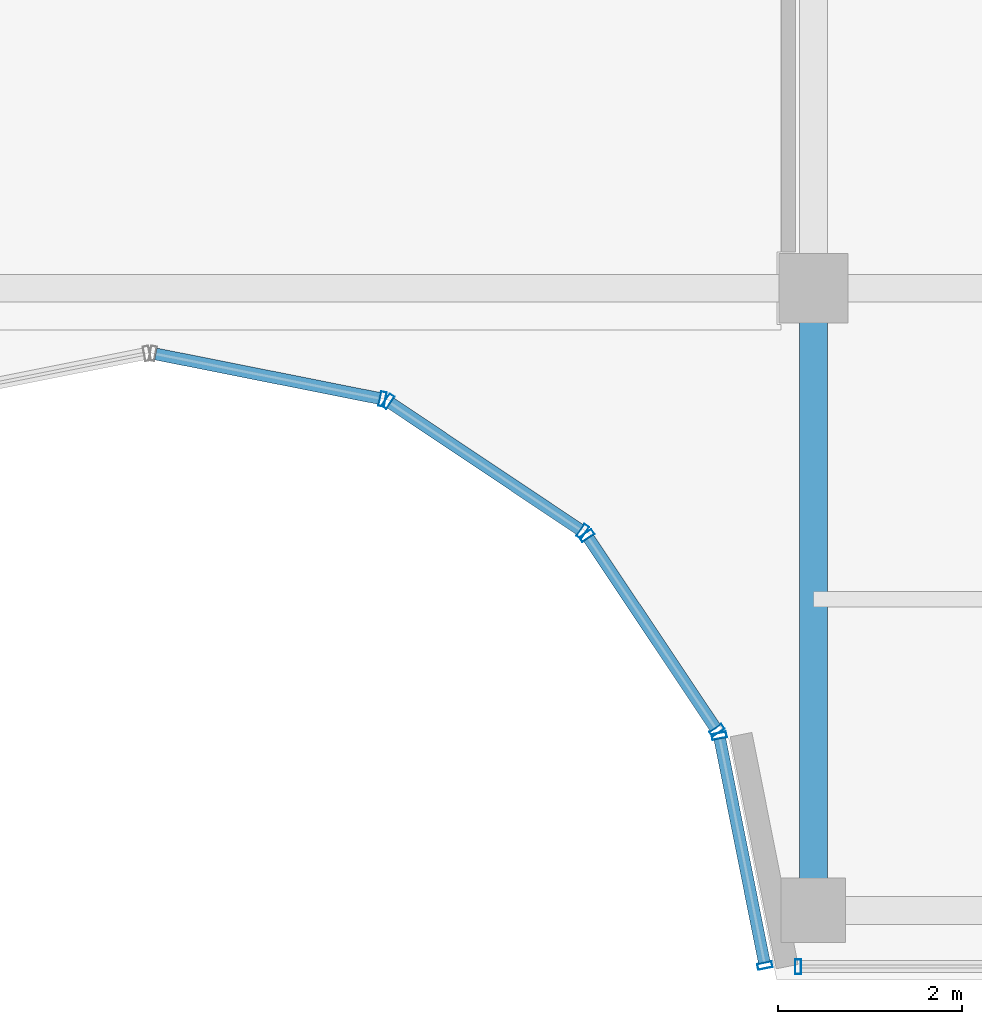
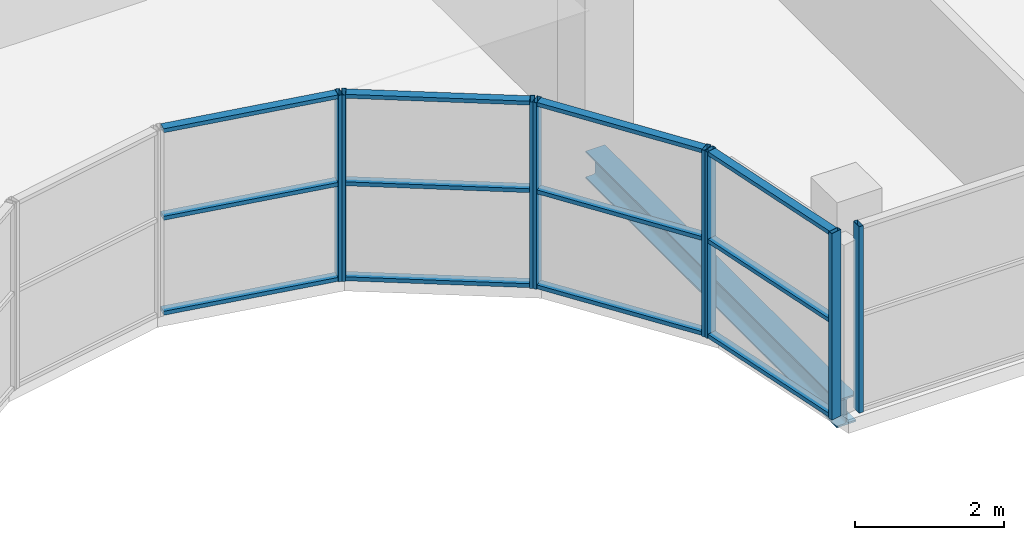
# One storey, part 7 of 28: 20 members, 1 beam, 5 elements without a shape of their own.
"""IFC4 building model written with IfcOpenShell, lengths in metres."""

from ifc_helpers import new_model, si_unit, direction, frame, origin, origin_2d, place, context, subcontext, project, spatial, hollow_rectangle, i_section, extrude, source, transform, mapped, material, layer, layer_set, material_profile, profile_set, type_object, element, aggregate, save


model = new_model("IFC4")

# Units and contexts
model_context = context("Model", 3, precision=1e-05, world=origin(), true_north=direction((0.0, 1.0)))
body_context = subcontext(model_context, "Body", "Model", "MODEL_VIEW")
ifc_project = project(units=[si_unit("LENGTHUNIT", "METRE"), si_unit("AREAUNIT", "SQUARE_METRE"), si_unit("VOLUMEUNIT", "CUBIC_METRE"), si_unit("PLANEANGLEUNIT", "RADIAN"), si_unit("MASSUNIT", "GRAM", prefix="KILO")], contexts=[model_context])

# Site, building, storey
site_placement = place(None, origin())
site = spatial("IfcSite", under=ifc_project, at=site_placement, CompositionType="ELEMENT")
building_placement = place(site_placement, origin())
building = spatial("IfcBuilding", under=site, at=building_placement, Name="Zarnakvel Exchange Tower", CompositionType="ELEMENT")
storey_placement = place(building_placement, frame((0.0, 0.0, 268.300048828125)))
storey = spatial("IfcBuildingStorey", under=building, at=storey_placement, Name="L76", CompositionType="ELEMENT", Elevation=268.300048828125)

# Beam
ifc_material_1 = material(Name="Steel S355", Category="steel")
ifc_material_profile_1 = material_profile(ifc_material_1, i_section(OverallWidth=0.300048828125, OverallDepth=0.449951171875, WebThickness=0.013916015625, FlangeThickness=0.02587890625, FilletRadius=0.027099609375, at=origin_2d()))
ifc_profile_set_1 = profile_set([ifc_material_profile_1], Name="Steel S355")
beam_type = type_object("IfcBeamType", Name="G-07", PredefinedType="BEAM", material=ifc_profile_set_1)
beam_placement = place(storey_placement, frame((7.199951171875, -16.35009765625, -0.449951171875), z_axis=(0.0, 1.0, 0.0), x_axis=(-1.0, 0.0, 0.0)))
element("IfcBeam", 1, at=beam_placement, inside=storey, type_object=beam_type, Name="L76 Tower N-S Frame Beam", PredefinedType="BEAM", context=body_context, shape_type="SweptSolid", body=[
    extrude(i_section(OverallWidth=0.300048828125, OverallDepth=0.449951171875, WebThickness=0.013916015625, FlangeThickness=0.02587890625, FilletRadius=0.027099609375, at=origin_2d()), origin(), (0.0, 0.0, 1.0), 6.75),
])

# Curtain wall, members
ifc_material_2 = material(Name="Architectural Bronze Anodised Aluminium", Category="aluminium")
ifc_layer = layer(ifc_material_2, 0.159912109375)
ifc_layer_set = layer_set([ifc_layer], Name="Architectural Bronze Anodised Aluminium")
curtain_wall_type = type_object("IfcCurtainWallType", Name="CW-06", PredefinedType="NOTDEFINED", material=ifc_layer_set)
curtain_wall_1_placement = place(storey_placement, origin())
curtain_wall_1 = element("IfcCurtainWall", 2, at=curtain_wall_1_placement, inside=storey, type_object=curtain_wall_type, Name="L76 Curtain Wall CW-L76-NC5 (CW-06)", PredefinedType="NOTDEFINED")
ifc_material_profile_2 = material_profile(ifc_material_2, hollow_rectangle(XDim=0.1298828125, YDim=0.06494140625, WallThickness=0.00390625, at=origin_2d()))
ifc_profile_set_2 = profile_set([ifc_material_profile_2], Name="Architectural Bronze Anodised Aluminium")
member_type_1 = type_object("IfcMemberType", Name="CWT-06", PredefinedType="USERDEFINED", material=ifc_profile_set_2)
shared_shape_1 = source(origin(), body_context, "Body", "SweptSolid", [
    extrude(hollow_rectangle(XDim=0.1298828125, YDim=0.06494140625, WallThickness=0.00390625, at=origin_2d()), origin(), (0.0, 0.0, 1.0), 2.4765625),
])
member_1_placement = place(storey_placement, frame((0.063720703125, -10.312744140625, 0.032470703125), z_axis=(0.980784886983, -0.195092299863, 0.0), x_axis=(0.195092299863, 0.980784886983, 0.0)))
member_1 = element("IfcMember", 3, at=member_1_placement, type_object=member_type_1, Name="CW-06 transom 1.1", ObjectType="TRANSOM", PredefinedType="USERDEFINED", context=body_context, shape_type="MappedRepresentation", body=[
    mapped(shared_shape_1, transform((0.0, 0.0, 0.0), x_axis=(1.0, 0.0, 0.0), y_axis=(0.0, 1.0, 0.0), z_axis=(0.0, 0.0, 1.0), scale=1.0)),
])
member_2_placement = place(storey_placement, frame((0.063720703125, -10.312744140625, 1.591064453125), z_axis=(0.980784886983, -0.195092299863, 0.0), x_axis=(0.195092299863, 0.980784886983, 0.0)))
member_2 = element("IfcMember", 4, at=member_2_placement, type_object=member_type_1, Name="CW-06 transom 1.2", ObjectType="TRANSOM", PredefinedType="USERDEFINED", context=body_context, shape_type="MappedRepresentation", body=[
    mapped(shared_shape_1, transform((0.0, 0.0, 0.0), x_axis=(1.0, 0.0, 0.0), y_axis=(0.0, 1.0, 0.0), z_axis=(0.0, 0.0, 1.0), scale=1.0)),
])
member_3_placement = place(storey_placement, frame((0.063720703125, -10.312744140625, 3.02734375), z_axis=(0.980784886983, -0.195092299863, 0.0), x_axis=(0.195092299863, 0.980784886983, 0.0)))
member_3 = element("IfcMember", 5, at=member_3_placement, type_object=member_type_1, Name="CW-06 transom 1.3", ObjectType="TRANSOM", PredefinedType="USERDEFINED", context=body_context, shape_type="MappedRepresentation", body=[
    mapped(shared_shape_1, transform((0.0, 0.0, 0.0), x_axis=(1.0, 0.0, 0.0), y_axis=(0.0, 1.0, 0.0), z_axis=(0.0, 0.0, 1.0), scale=1.0)),
])

curtain_wall_2_placement = place(storey_placement, origin())
curtain_wall_2 = element("IfcCurtainWall", 6, at=curtain_wall_2_placement, inside=storey, type_object=curtain_wall_type, Name="L76 Curtain Wall CW-L76-NC6 (CW-06)", PredefinedType="NOTDEFINED")
member_4_placement = place(storey_placement, frame((2.6103515625, -10.844482421875, 0.032470703125), z_axis=(0.831443136401, -0.555609854963, 0.0), x_axis=(0.555609854963, 0.831443136401, 0.0)))
member_4 = element("IfcMember", 7, at=member_4_placement, type_object=member_type_1, Name="CW-06 transom 1.1", ObjectType="TRANSOM", PredefinedType="USERDEFINED", context=body_context, shape_type="MappedRepresentation", body=[
    mapped(shared_shape_1, transform((0.0, 0.0, 0.0), x_axis=(1.0, 0.0, 0.0), y_axis=(0.0, 1.0, 0.0), z_axis=(0.0, 0.0, 1.0), scale=1.0)),
])
member_5_placement = place(storey_placement, frame((2.6103515625, -10.844482421875, 1.591064453125), z_axis=(0.831443136401, -0.555609854963, 0.0), x_axis=(0.555609854963, 0.831443136401, 0.0)))
member_5 = element("IfcMember", 8, at=member_5_placement, type_object=member_type_1, Name="CW-06 transom 1.2", ObjectType="TRANSOM", PredefinedType="USERDEFINED", context=body_context, shape_type="MappedRepresentation", body=[
    mapped(shared_shape_1, transform((0.0, 0.0, 0.0), x_axis=(1.0, 0.0, 0.0), y_axis=(0.0, 1.0, 0.0), z_axis=(0.0, 0.0, 1.0), scale=1.0)),
])
member_6_placement = place(storey_placement, frame((2.6103515625, -10.844482421875, 3.02734375), z_axis=(0.831443136401, -0.555609854963, 0.0), x_axis=(0.555609854963, 0.831443136401, 0.0)))
member_6 = element("IfcMember", 9, at=member_6_placement, type_object=member_type_1, Name="CW-06 transom 1.3", ObjectType="TRANSOM", PredefinedType="USERDEFINED", context=body_context, shape_type="MappedRepresentation", body=[
    mapped(shared_shape_1, transform((0.0, 0.0, 0.0), x_axis=(1.0, 0.0, 0.0), y_axis=(0.0, 1.0, 0.0), z_axis=(0.0, 0.0, 1.0), scale=1.0)),
])

curtain_wall_3_placement = place(storey_placement, origin())
curtain_wall_3 = element("IfcCurtainWall", 10, at=curtain_wall_3_placement, inside=storey, type_object=curtain_wall_type, Name="L76 Curtain Wall CW-L76-NC7 (CW-06)", PredefinedType="NOTDEFINED")
member_7_placement = place(storey_placement, frame((4.759521484375, -12.310546875, 0.032470703125), z_axis=(0.555609854963, -0.831443136401, 0.0), x_axis=(0.831443136401, 0.555609854963, 0.0)))
member_7 = element("IfcMember", 11, at=member_7_placement, type_object=member_type_1, Name="CW-06 transom 1.1", ObjectType="TRANSOM", PredefinedType="USERDEFINED", context=body_context, shape_type="MappedRepresentation", body=[
    mapped(shared_shape_1, transform((0.0, 0.0, 0.0), x_axis=(1.0, 0.0, 0.0), y_axis=(0.0, 1.0, 0.0), z_axis=(0.0, 0.0, 1.0), scale=1.0)),
])
member_8_placement = place(storey_placement, frame((4.759521484375, -12.310546875, 1.591064453125), z_axis=(0.555609854963, -0.831443136401, 0.0), x_axis=(0.831443136401, 0.555609854963, 0.0)))
member_8 = element("IfcMember", 12, at=member_8_placement, type_object=member_type_1, Name="CW-06 transom 1.2", ObjectType="TRANSOM", PredefinedType="USERDEFINED", context=body_context, shape_type="MappedRepresentation", body=[
    mapped(shared_shape_1, transform((0.0, 0.0, 0.0), x_axis=(1.0, 0.0, 0.0), y_axis=(0.0, 1.0, 0.0), z_axis=(0.0, 0.0, 1.0), scale=1.0)),
])
member_9_placement = place(storey_placement, frame((4.759521484375, -12.310546875, 3.02734375), z_axis=(0.555609854963, -0.831443136401, 0.0), x_axis=(0.831443136401, 0.555609854963, 0.0)))
member_9 = element("IfcMember", 13, at=member_9_placement, type_object=member_type_1, Name="CW-06 transom 1.3", ObjectType="TRANSOM", PredefinedType="USERDEFINED", context=body_context, shape_type="MappedRepresentation", body=[
    mapped(shared_shape_1, transform((0.0, 0.0, 0.0), x_axis=(1.0, 0.0, 0.0), y_axis=(0.0, 1.0, 0.0), z_axis=(0.0, 0.0, 1.0), scale=1.0)),
])

curtain_wall_4_placement = place(storey_placement, origin())
curtain_wall_4 = element("IfcCurtainWall", 14, at=curtain_wall_4_placement, inside=storey, type_object=curtain_wall_type, Name="L76 Curtain Wall CW-L76-NC8 (CW-06)", PredefinedType="NOTDEFINED")
member_10_placement = place(storey_placement, frame((6.18408203125, -14.4873046875, 0.032470703125), z_axis=(0.195092299863, -0.980784886983, 0.0), x_axis=(0.980784886983, 0.195092299863, 0.0)))
member_10 = element("IfcMember", 15, at=member_10_placement, type_object=member_type_1, Name="CW-06 transom 1.1", ObjectType="TRANSOM", PredefinedType="USERDEFINED", context=body_context, shape_type="MappedRepresentation", body=[
    mapped(shared_shape_1, transform((0.0, 0.0, 0.0), x_axis=(1.0, 0.0, 0.0), y_axis=(0.0, 1.0, 0.0), z_axis=(0.0, 0.0, 1.0), scale=1.0)),
])
member_11_placement = place(storey_placement, frame((6.18408203125, -14.4873046875, 1.591064453125), z_axis=(0.195092299863, -0.980784886983, 0.0), x_axis=(0.980784886983, 0.195092299863, 0.0)))
member_11 = element("IfcMember", 16, at=member_11_placement, type_object=member_type_1, Name="CW-06 transom 1.2", ObjectType="TRANSOM", PredefinedType="USERDEFINED", context=body_context, shape_type="MappedRepresentation", body=[
    mapped(shared_shape_1, transform((0.0, 0.0, 0.0), x_axis=(1.0, 0.0, 0.0), y_axis=(0.0, 1.0, 0.0), z_axis=(0.0, 0.0, 1.0), scale=1.0)),
])
member_12_placement = place(storey_placement, frame((6.18408203125, -14.4873046875, 3.02734375), z_axis=(0.195092299863, -0.980784886983, 0.0), x_axis=(0.980784886983, 0.195092299863, 0.0)))
member_12 = element("IfcMember", 17, at=member_12_placement, type_object=member_type_1, Name="CW-06 transom 1.3", ObjectType="TRANSOM", PredefinedType="USERDEFINED", context=body_context, shape_type="MappedRepresentation", body=[
    mapped(shared_shape_1, transform((0.0, 0.0, 0.0), x_axis=(1.0, 0.0, 0.0), y_axis=(0.0, 1.0, 0.0), z_axis=(0.0, 0.0, 1.0), scale=1.0)),
])

# Member
ifc_material_profile_3 = material_profile(ifc_material_2, hollow_rectangle(XDim=0.159912109375, YDim=0.06494140625, WallThickness=0.00390625, at=origin_2d()))
ifc_profile_set_3 = profile_set([ifc_material_profile_3], Name="Architectural Bronze Anodised Aluminium")
member_type_2 = type_object("IfcMemberType", Name="CWM-06", PredefinedType="MULLION", material=ifc_profile_set_3)
shared_shape_2 = source(origin(), body_context, "Body", "SweptSolid", [
    extrude(hollow_rectangle(XDim=0.159912109375, YDim=0.06494140625, WallThickness=0.00390625, at=origin_2d()), origin(), (0.0, 0.0, 1.0), 3.06005859375),
])
member_13_placement = place(storey_placement, frame((2.5244140625, -10.80224609375, 0.0), z_axis=(0.0, 0.0, 1.0), x_axis=(0.195090448398, 0.980785255264, 0.0)))
member_13 = element("IfcMember", 18, at=member_13_placement, type_object=member_type_2, Name="CW-06 mullion 2", PredefinedType="MULLION", context=body_context, shape_type="MappedRepresentation", body=[
    mapped(shared_shape_2, transform((0.0, 0.0, 0.0), x_axis=(1.0, 0.0, 0.0), y_axis=(0.0, 1.0, 0.0), z_axis=(0.0, 0.0, 1.0), scale=1.0)),
])

aggregate(curtain_wall_1, [member_13, member_1, member_2, member_3])

member_14_placement = place(storey_placement, frame((2.583251953125, -10.82666015625, 0.0), z_axis=(0.0, 0.0, 1.0), x_axis=(0.555570233339, 0.831469612089, 0.0)))
member_14 = element("IfcMember", 19, at=member_14_placement, type_object=member_type_2, Name="CW-06 mullion 1", PredefinedType="MULLION", context=body_context, shape_type="MappedRepresentation", body=[
    mapped(shared_shape_2, transform((0.0, 0.0, 0.0), x_axis=(1.0, 0.0, 0.0), y_axis=(0.0, 1.0, 0.0), z_axis=(0.0, 0.0, 1.0), scale=1.0)),
])

member_15_placement = place(storey_placement, frame((4.696533203125, -12.238525390625, 0.0), z_axis=(0.0, 0.0, 1.0), x_axis=(0.555570233339, 0.831469612089, 0.0)))
member_15 = element("IfcMember", 20, at=member_15_placement, type_object=member_type_2, Name="CW-06 mullion 2", PredefinedType="MULLION", context=body_context, shape_type="MappedRepresentation", body=[
    mapped(shared_shape_2, transform((0.0, 0.0, 0.0), x_axis=(1.0, 0.0, 0.0), y_axis=(0.0, 1.0, 0.0), z_axis=(0.0, 0.0, 1.0), scale=1.0)),
])

aggregate(curtain_wall_2, [member_14, member_15, member_4, member_5, member_6])

member_16_placement = place(storey_placement, frame((4.741455078125, -12.283447265625, 0.0), z_axis=(0.0, 0.0, 1.0), x_axis=(0.831469612089, 0.555570233339, 0.0)))
member_16 = element("IfcMember", 21, at=member_16_placement, type_object=member_type_2, Name="CW-06 mullion 1", PredefinedType="MULLION", context=body_context, shape_type="MappedRepresentation", body=[
    mapped(shared_shape_2, transform((0.0, 0.0, 0.0), x_axis=(1.0, 0.0, 0.0), y_axis=(0.0, 1.0, 0.0), z_axis=(0.0, 0.0, 1.0), scale=1.0)),
])

member_17_placement = place(storey_placement, frame((6.153564453125, -14.396728515625, 0.0), z_axis=(0.0, 0.0, 1.0), x_axis=(0.831469612089, 0.555570233339, 0.0)))
member_17 = element("IfcMember", 22, at=member_17_placement, type_object=member_type_2, Name="CW-06 mullion 2", PredefinedType="MULLION", context=body_context, shape_type="MappedRepresentation", body=[
    mapped(shared_shape_2, transform((0.0, 0.0, 0.0), x_axis=(1.0, 0.0, 0.0), y_axis=(0.0, 1.0, 0.0), z_axis=(0.0, 0.0, 1.0), scale=1.0)),
])

aggregate(curtain_wall_3, [member_16, member_17, member_7, member_8, member_9])

member_18_placement = place(storey_placement, frame((6.177734375, -14.45556640625, 0.0), z_axis=(0.0, 0.0, 1.0), x_axis=(0.980785255264, 0.195090448398, 0.0)))
member_18 = element("IfcMember", 23, at=member_18_placement, type_object=member_type_2, Name="CW-06 mullion 1", PredefinedType="MULLION", context=body_context, shape_type="MappedRepresentation", body=[
    mapped(shared_shape_2, transform((0.0, 0.0, 0.0), x_axis=(1.0, 0.0, 0.0), y_axis=(0.0, 1.0, 0.0), z_axis=(0.0, 0.0, 1.0), scale=1.0)),
])

member_19_placement = place(storey_placement, frame((6.673583984375, -16.9482421875, 0.0), z_axis=(0.0, 0.0, 1.0), x_axis=(0.980785255264, 0.195090448398, 0.0)))
member_19 = element("IfcMember", 24, at=member_19_placement, type_object=member_type_2, Name="CW-06 mullion 2", PredefinedType="MULLION", context=body_context, shape_type="MappedRepresentation", body=[
    mapped(shared_shape_2, transform((0.0, 0.0, 0.0), x_axis=(1.0, 0.0, 0.0), y_axis=(0.0, 1.0, 0.0), z_axis=(0.0, 0.0, 1.0), scale=1.0)),
])

aggregate(curtain_wall_4, [member_18, member_19, member_10, member_11, member_12])

# Curtain wall, member
curtain_wall_5_placement = place(storey_placement, origin())
curtain_wall_5 = element("IfcCurtainWall", 25, at=curtain_wall_5_placement, inside=storey, type_object=curtain_wall_type, Name="L76 Curtain Wall CW-L76-NSE (CW-06)", PredefinedType="NOTDEFINED")
member_20_placement = place(storey_placement, frame((7.032470703125, -16.9599609375, 0.0), z_axis=(0.0, 0.0, 1.0), x_axis=(0.0, 1.0, 0.0)))
member_20 = element("IfcMember", 26, at=member_20_placement, type_object=member_type_2, Name="CW-06 mullion 1", PredefinedType="MULLION", context=body_context, shape_type="MappedRepresentation", body=[
    mapped(shared_shape_2, transform((0.0, 0.0, 0.0), x_axis=(1.0, 0.0, 0.0), y_axis=(0.0, 1.0, 0.0), z_axis=(0.0, 0.0, 1.0), scale=1.0)),
])
aggregate(curtain_wall_5, [member_20])

save(model, "model.ifc")
